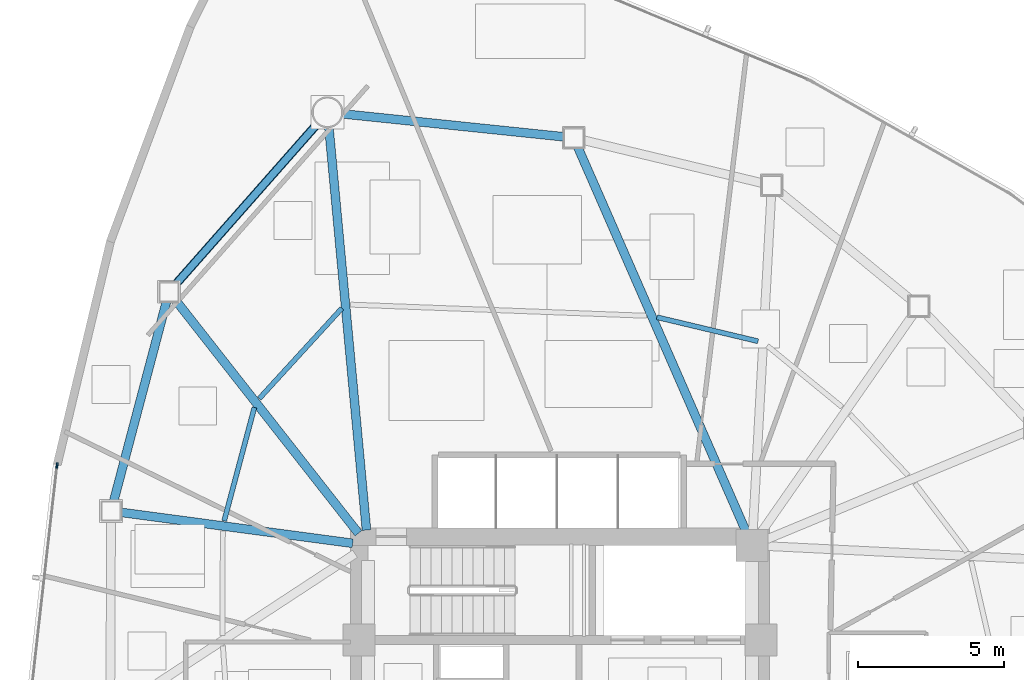
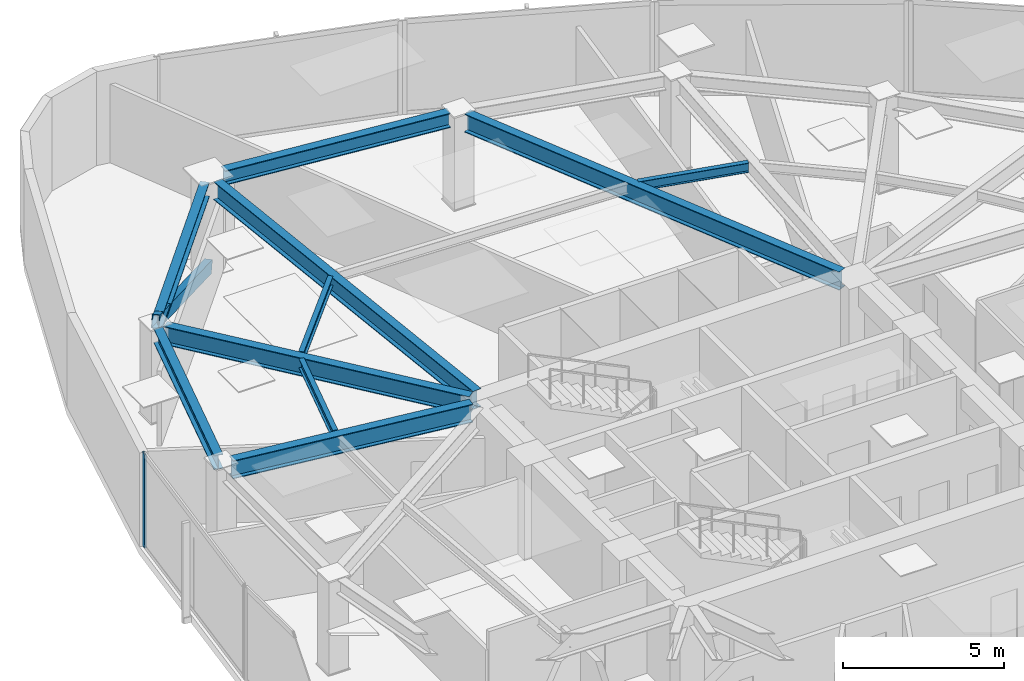
# One storey, part 7 of 18: 10 beams, 2 members, 1 element without a shape of its own.
"""IFC4 building model written with IfcOpenShell, lengths in metres."""

from ifc_helpers import new_model, si_unit, direction, frame, origin, origin_2d, place, context, subcontext, project, spatial, hollow_rectangle, i_section, extrude, source, transform, mapped, material, layer, layer_set, material_profile, profile_set, type_object, type_shapes, element, aggregate, save


model = new_model("IFC4")

# Units and contexts
model_context = context("Model", 3, precision=1e-05, world=origin(), true_north=direction((0.0, 1.0)))
body_context = subcontext(model_context, "Body", "Model", "MODEL_VIEW")
ifc_project = project(units=[si_unit("LENGTHUNIT", "METRE"), si_unit("AREAUNIT", "SQUARE_METRE"), si_unit("VOLUMEUNIT", "CUBIC_METRE"), si_unit("PLANEANGLEUNIT", "RADIAN"), si_unit("MASSUNIT", "GRAM", prefix="KILO")], contexts=[model_context])

# Site, building, storey
site_placement = place(None, origin())
site = spatial("IfcSite", under=ifc_project, at=site_placement, CompositionType="ELEMENT")
building_placement = place(site_placement, origin())
building = spatial("IfcBuilding", under=site, at=building_placement, Name="Tavelor Broadcast Tower", CompositionType="ELEMENT")
storey_placement = place(building_placement, frame((0.0, 0.0, 146.39990234375)))
storey = spatial("IfcBuildingStorey", under=building, at=storey_placement, Name="L34", CompositionType="ELEMENT", Elevation=146.39990234375)

# Beams
ifc_material_1 = material(Name="Steel S355", Category="steel")
ifc_material_profile_1 = material_profile(ifc_material_1, i_section(OverallWidth=0.169921875, OverallDepth=0.360107421875, WebThickness=0.008056640625, FlangeThickness=0.0126953125, at=origin_2d()), Name="IPE 360")
ifc_profile_set_1 = profile_set([ifc_material_profile_1], Name="Steel S355")
beam_type_1 = type_object("IfcBeamType", Name="Composite Floor Joist T3 IPE 360", PredefinedType="JOIST", material=ifc_profile_set_1)
beam_1_placement = place(storey_placement, frame((42.505126953125, 59.344970703125, 3.3701171875), z_axis=(-0.675177020038, -0.737655740581, 0.0), x_axis=(0.737655740581, -0.675177020038, 0.0)))
element("IfcBeam", 1, at=beam_1_placement, inside=storey, type_object=beam_type_1, Name="L34 Secondary Composite Floor Joist 01", PredefinedType="JOIST", context=body_context, shape_type="SweptSolid", body=[
    extrude(i_section(OverallWidth=0.169921875, OverallDepth=0.360107421875, WebThickness=0.008056640625, FlangeThickness=0.0126953125, at=origin_2d()), origin(), (0.0, 0.0, 1.0), 4.20068359375),
])
beam_2_placement = place(storey_placement, frame((39.5, 55.937744140625, 3.3701171875), z_axis=(-0.257647578953, -0.966238958571, 0.0), x_axis=(0.966238958571, -0.257647578953, 0.0)))
element("IfcBeam", 2, at=beam_2_placement, inside=storey, type_object=beam_type_1, Name="L34 Secondary Composite Floor Joist 02", PredefinedType="JOIST", context=body_context, shape_type="SweptSolid", body=[
    extrude(i_section(OverallWidth=0.169921875, OverallDepth=0.360107421875, WebThickness=0.008056640625, FlangeThickness=0.0126953125, at=origin_2d()), origin(), (0.0, 0.0, 1.0), 4.032958984375),
])
beam_3_placement = place(storey_placement, frame((56.80517578125, 58.21240234375, 3.3701171875), z_axis=(-0.972854549724, 0.231417426056, 0.0), x_axis=(-0.231417426056, -0.972854549724, 0.0)))
element("IfcBeam", 3, at=beam_3_placement, inside=storey, type_object=beam_type_1, Name="L34 Secondary Composite Floor Joist 17", PredefinedType="JOIST", context=body_context, shape_type="SweptSolid", body=[
    extrude(i_section(OverallWidth=0.169921875, OverallDepth=0.360107421875, WebThickness=0.008056640625, FlangeThickness=0.0126953125, at=origin_2d()), origin(), (0.0, 0.0, 1.0), 3.575439453125),
])
ifc_material_profile_2 = material_profile(ifc_material_1, i_section(OverallWidth=0.300048828125, OverallDepth=0.550048828125, WebThickness=0.014892578125, FlangeThickness=0.029052734375, at=origin_2d()), Name="HEB 550")
ifc_profile_set_2 = profile_set([ifc_material_profile_2], Name="Steel S355")
beam_type_2 = type_object("IfcBeamType", Name="Perimeter Spandrel Beam T3 HEB 550", PredefinedType="SPANDREL", material=ifc_profile_set_2)
beam_4_placement = place(storey_placement, frame((41.67236328125, 65.69580078125, 3.275146484375), z_axis=(-0.661628202511, -0.749832062292, 0.0), x_axis=(0.749832062292, -0.661628202511, 0.0)))
element("IfcBeam", 4, at=beam_4_placement, inside=storey, type_object=beam_type_2, Name="L34 Framed-Tube Ring Spandrel 01", PredefinedType="SPANDREL", context=body_context, shape_type="SweptSolid", body=[
    extrude(i_section(OverallWidth=0.300048828125, OverallDepth=0.550048828125, WebThickness=0.014892578125, FlangeThickness=0.029052734375, at=origin_2d()), origin(), (0.0, 0.0, 1.0), 7.379150390625),
])
beam_5_placement = place(storey_placement, frame((36.481689453125, 59.5859375, 3.275146484375), z_axis=(-0.255779440044, -0.966735164381, 0.0), x_axis=(0.966735164381, -0.255779440044, 0.0)))
element("IfcBeam", 5, at=beam_5_placement, inside=storey, type_object=beam_type_2, Name="L34 Framed-Tube Ring Spandrel 02", PredefinedType="SPANDREL", context=body_context, shape_type="SweptSolid", body=[
    extrude(i_section(OverallWidth=0.300048828125, OverallDepth=0.550048828125, WebThickness=0.014892578125, FlangeThickness=0.029052734375, at=origin_2d()), origin(), (0.0, 0.0, 1.0), 7.11865234375),
])
beam_6_placement = place(storey_placement, frame((50.13818359375, 65.23681640625, 3.275146484375), z_axis=(-0.994661371522, 0.103192809834, 0.0), x_axis=(-0.103192809834, -0.994661371522, 0.0)))
element("IfcBeam", 6, at=beam_6_placement, inside=storey, type_object=beam_type_2, Name="L34 Framed-Tube Ring Spandrel 18", PredefinedType="SPANDREL", context=body_context, shape_type="SweptSolid", body=[
    extrude(i_section(OverallWidth=0.300048828125, OverallDepth=0.550048828125, WebThickness=0.014892578125, FlangeThickness=0.029052734375, at=origin_2d()), origin(), (0.0, 0.0, 1.0), 7.658203125),
])

# Member
ifc_material_profile_3 = material_profile(ifc_material_1, hollow_rectangle(XDim=0.25, YDim=0.449951171875, WallThickness=0.02001953125, at=origin_2d()), Name="RHS 450x250x20")
ifc_profile_set_3 = profile_set([ifc_material_profile_3], Name="Steel S355")
member_type_1 = type_object("IfcMemberType", Name="Perimeter Tube Brace T3 RHS 450x250x20", PredefinedType="BRACE", material=ifc_profile_set_3)
member_1_placement = place(storey_placement, frame((42.01123046875, 66.080078125, 0.0), z_axis=(-0.607484590691, -0.688484352459, 0.396171387776), x_axis=(0.74983872131, -0.661620655681, 0.0)))
element("IfcMember", 7, at=member_1_placement, inside=storey, type_object=member_type_1, Name="L34 Corner Tube Diagonal Brace 1", PredefinedType="BRACE", context=body_context, shape_type="SweptSolid", body=[
    extrude(hollow_rectangle(XDim=0.25, YDim=0.449951171875, WallThickness=0.02001953125, at=origin_2d()), origin(), (0.0, 0.0, 1.0), 8.9609375),
])

# Beams
ifc_material_profile_4 = material_profile(ifc_material_1, i_section(OverallWidth=0.300048828125, OverallDepth=0.68994140625, WebThickness=0.014404296875, FlangeThickness=0.027099609375, at=origin_2d()), Name="HEA 700")
ifc_profile_set_4 = profile_set([ifc_material_profile_4], Name="Steel S355")
beam_type_3 = type_object("IfcBeamType", Name="Radial Floor Girder T3 HEA 700", PredefinedType="BEAM", material=ifc_profile_set_4)
beam_7_placement = place(storey_placement, frame((43.350830078125, 51.7255859375, 3.205078125), z_axis=(-0.092918079293, 0.995673757081, 0.0), x_axis=(-0.995673757081, -0.092918079293, 0.0)))
element("IfcBeam", 8, at=beam_7_placement, inside=storey, type_object=beam_type_3, Name="L34 Radial Primary Floor Girder 01", PredefinedType="BEAM", context=body_context, shape_type="SweptSolid", body=[
    extrude(i_section(OverallWidth=0.300048828125, OverallDepth=0.68994140625, WebThickness=0.014404296875, FlangeThickness=0.027099609375, at=origin_2d()), origin(), (0.0, 0.0, 1.0), 13.904541015625),
])
beam_8_placement = place(storey_placement, frame((43.07421875, 51.615478515625, 3.205078125), z_axis=(-0.617166360417, 0.786832690964, 0.0), x_axis=(-0.786832690964, -0.617166360417, 0.0)))
element("IfcBeam", 9, at=beam_8_placement, inside=storey, type_object=beam_type_3, Name="L34 Radial Primary Floor Girder 02", PredefinedType="BEAM", context=body_context, shape_type="SweptSolid", body=[
    extrude(i_section(OverallWidth=0.300048828125, OverallDepth=0.68994140625, WebThickness=0.014404296875, FlangeThickness=0.027099609375, at=origin_2d()), origin(), (0.0, 0.0, 1.0), 10.20654296875),
])
beam_9_placement = place(storey_placement, frame((42.876708984375, 51.27001953125, 3.205078125), z_axis=(-0.991191527329, 0.132436234281, 0.0), x_axis=(-0.132436234281, -0.991191527329, 0.0)))
element("IfcBeam", 10, at=beam_9_placement, inside=storey, type_object=beam_type_3, Name="L34 Radial Primary Floor Girder 03", PredefinedType="BEAM", context=body_context, shape_type="SweptSolid", body=[
    extrude(i_section(OverallWidth=0.300048828125, OverallDepth=0.68994140625, WebThickness=0.014404296875, FlangeThickness=0.027099609375, at=origin_2d()), origin(), (0.0, 0.0, 1.0), 8.039306640625),
])
beam_10_placement = place(storey_placement, frame((56.38818359375, 51.68359375, 3.205078125), z_axis=(-0.400896102053, 0.916123526255, 0.0), x_axis=(-0.916123526255, -0.400896102053, 0.0)))
element("IfcBeam", 11, at=beam_10_placement, inside=storey, type_object=beam_type_3, Name="L34 Radial Primary Floor Girder 18", PredefinedType="BEAM", context=body_context, shape_type="SweptSolid", body=[
    extrude(i_section(OverallWidth=0.300048828125, OverallDepth=0.68994140625, WebThickness=0.014404296875, FlangeThickness=0.027099609375, at=origin_2d()), origin(), (0.0, 0.0, 1.0), 14.420166015625),
])

# Curtain wall, member
ifc_material_2 = material(Name="Architectural Anodized Aluminium", Category="aluminium")
ifc_layer = layer(ifc_material_2, 0.18994140625)
ifc_layer_set = layer_set([ifc_layer], Name="Architectural Anodized Aluminium")
curtain_wall_type = type_object("IfcCurtainWallType", Name="Tower Mid-Zone Acoustic Curtain Wall CW03", PredefinedType="NOTDEFINED", material=ifc_layer_set)
curtain_wall_placement = place(storey_placement, origin())
curtain_wall = element("IfcCurtainWall", 12, at=curtain_wall_placement, inside=storey, type_object=curtain_wall_type, Name="L34 Curtain Wall CW03 Run 349", PredefinedType="NOTDEFINED")
ifc_material_profile_5 = material_profile(ifc_material_2, hollow_rectangle(XDim=0.068115234375, YDim=0.18994140625, WallThickness=0.02197265625, at=origin_2d()), Name="RHS 68x190x22")
ifc_profile_set_5 = profile_set([ifc_material_profile_5], Name="Architectural Anodized Aluminium")
member_type_2 = type_object("IfcMemberType", Name="CW03 Extruded Aluminium Mullion 68x190", PredefinedType="MULLION", material=ifc_profile_set_5)
shared_shape = source(origin(), body_context, "Body", "SweptSolid", [
    extrude(hollow_rectangle(XDim=0.068115234375, YDim=0.18994140625, WallThickness=0.02197265625, at=origin_2d()), origin(), (0.0, 0.0, 1.0), 3.550048828125),
])
type_shapes(member_type_2, [shared_shape])
member_2_placement = place(storey_placement, frame((32.71923828125, 53.942138671875, 0.0), z_axis=(0.0, 0.0, 1.0), x_axis=(0.993621604706, -0.112765715809, 0.0)))
member_2 = element("IfcMember", 13, at=member_2_placement, type_object=member_type_2, Name="CW03 mullion 1", PredefinedType="MULLION", context=body_context, shape_type="MappedRepresentation", body=[
    mapped(shared_shape, transform((0.0, 0.0, 0.0), scale=1.0)),
])
aggregate(curtain_wall, [member_2])

save(model, "model.ifc")
